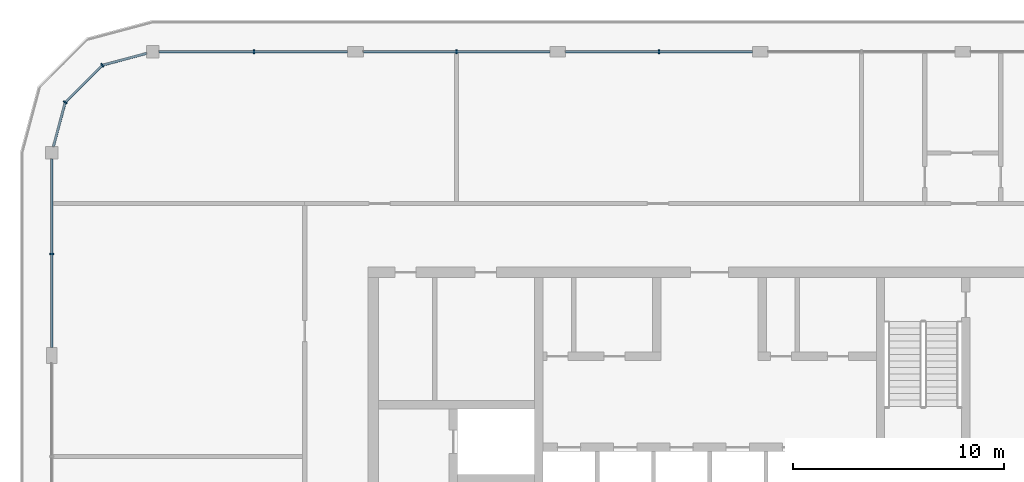
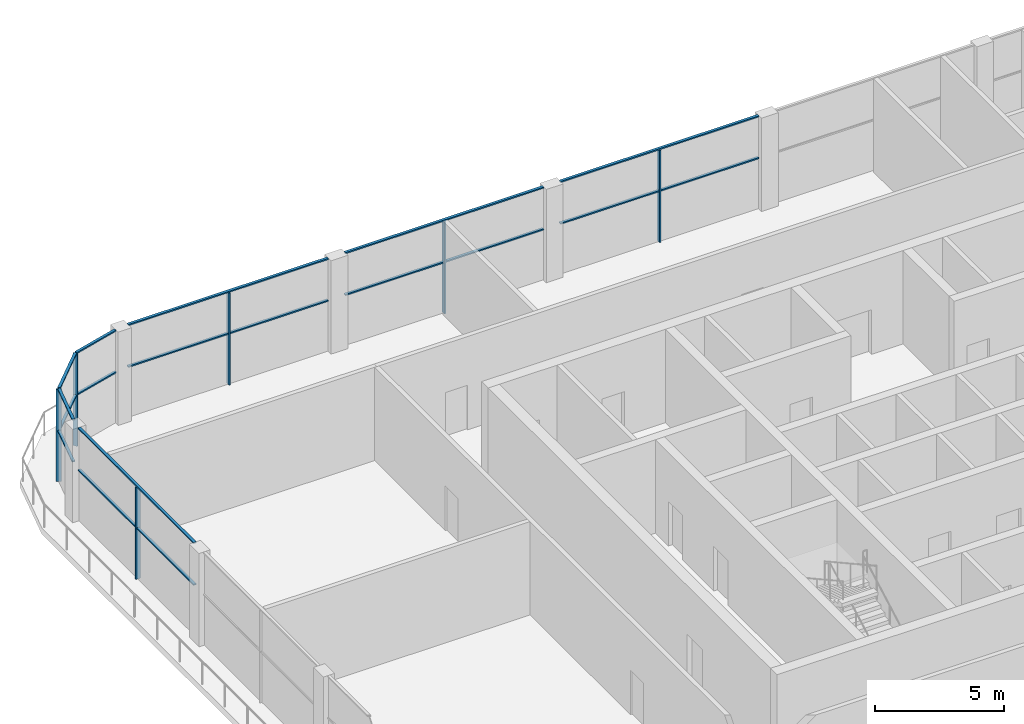
# One storey, part 5 of 15: 24 members, 5 elements without a shape of their own.
"""IFC4 building model written with IfcOpenShell, lengths in metres."""

from ifc_helpers import new_model, si_unit, direction, frame, origin, origin_2d, place, context, subcontext, project, spatial, rectangle, extrude, material, layer, layer_set, material_profile, profile_set, type_object, element, aggregate, save


model = new_model("IFC4")

# Units and contexts
model_context = context("Model", 3, precision=1e-05, world=origin(), true_north=direction((0.0, 1.0)))
body_context = subcontext(model_context, "Body", "Model", "MODEL_VIEW")
ifc_project = project(units=[si_unit("LENGTHUNIT", "METRE"), si_unit("AREAUNIT", "SQUARE_METRE"), si_unit("VOLUMEUNIT", "CUBIC_METRE"), si_unit("PLANEANGLEUNIT", "RADIAN"), si_unit("MASSUNIT", "GRAM", prefix="KILO")], contexts=[model_context])

# Site, building, storey
site_placement = place(None, origin())
site = spatial("IfcSite", under=ifc_project, at=site_placement, CompositionType="ELEMENT")
building_placement = place(site_placement, origin())
building = spatial("IfcBuilding", under=site, at=building_placement, Name="Madar Terraces", CompositionType="ELEMENT")
storey_placement = place(building_placement, frame((0.0, 0.0, 291.5)))
storey = spatial("IfcBuildingStorey", under=building, at=storey_placement, Name="L76", CompositionType="ELEMENT", Elevation=291.5)

# Curtain wall, member
ifc_material_1 = material(Name="Glass, clear low-iron, with black aluminium frame", Category="aluminium")
ifc_layer = layer(ifc_material_1, 0.199951171875)
ifc_layer_set = layer_set([ifc_layer], Name="Facade curtain wall, observation glazing")
curtain_wall_type = type_object("IfcCurtainWallType", Name="Facade curtain wall, observation glazing", PredefinedType="NOTDEFINED", material=ifc_layer_set)
curtain_wall_1_placement = place(storey_placement, origin())
curtain_wall_1 = element("IfcCurtainWall", 1, at=curtain_wall_1_placement, inside=storey, type_object=curtain_wall_type, Name="Outer skin curtain wall north bay 3", PredefinedType="NOTDEFINED")
ifc_material_2 = material(Name="Aluminium, black anodised", Category="aluminium")
ifc_material_profile_1 = material_profile(ifc_material_2, rectangle(XDim=0.199951171875, YDim=0.06005859375, at=origin_2d()), Name="Facade mullion 60x200")
ifc_profile_set_1 = profile_set([ifc_material_profile_1], Name="Aluminium, black anodised")
member_type_1 = type_object("IfcMemberType", Name="Facade mullion 60x200", PredefinedType="MULLION", material=ifc_profile_set_1)
member_1_placement = place(storey_placement, frame((28.800048828125, 48.0, 0.0), z_axis=(0.0, 0.0, 1.0), x_axis=(0.0, -1.0, 0.0)))
member_1 = element("IfcMember", 2, at=member_1_placement, type_object=member_type_1, Name="Mullion 1", PredefinedType="MULLION", context=body_context, shape_type="SweptSolid", body=[
    extrude(rectangle(XDim=0.199951171875, YDim=0.06005859375, at=origin_2d()), origin(), (0.0, 0.0, 1.0), 4.340087890625),
])

curtain_wall_2_placement = place(storey_placement, origin())
curtain_wall_2 = element("IfcCurtainWall", 3, at=curtain_wall_2_placement, inside=storey, type_object=curtain_wall_type, Name="Outer skin curtain wall north bay 4", PredefinedType="NOTDEFINED")
member_2_placement = place(storey_placement, frame((19.199951171875, 48.0, 0.0), z_axis=(0.0, 0.0, 1.0), x_axis=(0.0, -1.0, 0.0)))
member_2 = element("IfcMember", 4, at=member_2_placement, type_object=member_type_1, Name="Mullion 1", PredefinedType="MULLION", context=body_context, shape_type="SweptSolid", body=[
    extrude(rectangle(XDim=0.199951171875, YDim=0.06005859375, at=origin_2d()), origin(), (0.0, 0.0, 1.0), 4.340087890625),
])

curtain_wall_3_placement = place(storey_placement, origin())
curtain_wall_3 = element("IfcCurtainWall", 5, at=curtain_wall_3_placement, inside=storey, type_object=curtain_wall_type, Name="Outer skin curtain wall north bay 5", PredefinedType="NOTDEFINED")
member_3_placement = place(storey_placement, frame((9.60009765625, 48.0, 0.0), z_axis=(0.0, 0.0, 1.0), x_axis=(0.0, -1.0, 0.0)))
member_3 = element("IfcMember", 6, at=member_3_placement, type_object=member_type_1, Name="Mullion 1", PredefinedType="MULLION", context=body_context, shape_type="SweptSolid", body=[
    extrude(rectangle(XDim=0.199951171875, YDim=0.06005859375, at=origin_2d()), origin(), (0.0, 0.0, 1.0), 4.340087890625),
])

curtain_wall_4_placement = place(storey_placement, origin())
curtain_wall_4 = element("IfcCurtainWall", 7, at=curtain_wall_4_placement, inside=storey, type_object=curtain_wall_type, Name="Outer skin curtain wall west bay 1", PredefinedType="NOTDEFINED")
member_4_placement = place(storey_placement, frame((0.0, 38.39990234375, 0.0), z_axis=(0.0, 0.0, 1.0), x_axis=(1.0, 0.0, 0.0)))
member_4 = element("IfcMember", 8, at=member_4_placement, type_object=member_type_1, Name="Mullion 1", PredefinedType="MULLION", context=body_context, shape_type="SweptSolid", body=[
    extrude(rectangle(XDim=0.199951171875, YDim=0.06005859375, at=origin_2d()), origin(), (0.0, 0.0, 1.0), 4.340087890625),
])

# Curtain wall, members
curtain_wall_5_placement = place(storey_placement, origin())
curtain_wall_5 = element("IfcCurtainWall", 9, at=curtain_wall_5_placement, inside=storey, type_object=curtain_wall_type, Name="Outer skin curtain wall north-west corner", PredefinedType="NOTDEFINED")
member_5_placement = place(storey_placement, frame((2.39990234375, 47.35693359375, 0.0), z_axis=(0.0, 0.0, 1.0), x_axis=(0.499999989586, -0.866025409797, 0.0)))
member_5 = element("IfcMember", 10, at=member_5_placement, type_object=member_type_1, Name="Mullion 1", PredefinedType="MULLION", context=body_context, shape_type="SweptSolid", body=[
    extrude(rectangle(XDim=0.199951171875, YDim=0.06005859375, at=origin_2d()), origin(), (0.0, 0.0, 1.0), 4.340087890625),
])
member_6_placement = place(storey_placement, frame((0.64306640625, 45.60009765625, 0.0), z_axis=(0.0, 0.0, 1.0), x_axis=(0.866025409797, -0.499999989586, 0.0)))
member_6 = element("IfcMember", 11, at=member_6_placement, type_object=member_type_1, Name="Mullion 2", PredefinedType="MULLION", context=body_context, shape_type="SweptSolid", body=[
    extrude(rectangle(XDim=0.199951171875, YDim=0.06005859375, at=origin_2d()), origin(), (0.0, 0.0, 1.0), 4.340087890625),
])

# Member
ifc_material_3 = material(Name="Aluminium, black anodised", Category="aluminium")
ifc_material_profile_2 = material_profile(ifc_material_3, rectangle(XDim=0.1201171875, YDim=0.06005859375, at=origin_2d()), Name="Facade transom 60x120")
ifc_profile_set_2 = profile_set([ifc_material_profile_2], Name="Aluminium, black anodised")
member_type_2 = type_object("IfcMemberType", Name="Facade transom 60x120", PredefinedType="USERDEFINED", material=ifc_profile_set_2)
member_7_placement = place(storey_placement, frame((33.22509765625, 48.0, 4.3701171875), z_axis=(-1.0, 0.0, 0.0), x_axis=(0.0, -1.0, 0.0)))
member_7 = element("IfcMember", 12, at=member_7_placement, type_object=member_type_2, Name="Transom 1", ObjectType="TRANSOM", PredefinedType="USERDEFINED", context=body_context, shape_type="SweptSolid", body=[
    extrude(rectangle(XDim=0.1201171875, YDim=0.06005859375, at=origin_2d()), origin(), (0.0, 0.0, 1.0), 8.85009765625),
])

member_8_placement = place(storey_placement, frame((33.22509765625, 48.0, 2.39990234375), z_axis=(-1.0, 0.0, 0.0), x_axis=(0.0, -1.0, 0.0)))
member_8 = element("IfcMember", 13, at=member_8_placement, type_object=member_type_2, Name="Transom 2", ObjectType="TRANSOM", PredefinedType="USERDEFINED", context=body_context, shape_type="SweptSolid", body=[
    extrude(rectangle(XDim=0.1201171875, YDim=0.06005859375, at=origin_2d()), origin(), (0.0, 0.0, 1.0), 4.39501953125),
])

member_9_placement = place(storey_placement, frame((28.77001953125, 48.0, 2.39990234375), z_axis=(-1.0, 0.0, 0.0), x_axis=(0.0, -1.0, 0.0)))
member_9 = element("IfcMember", 14, at=member_9_placement, type_object=member_type_2, Name="Transom 3", ObjectType="TRANSOM", PredefinedType="USERDEFINED", context=body_context, shape_type="SweptSolid", body=[
    extrude(rectangle(XDim=0.1201171875, YDim=0.06005859375, at=origin_2d()), origin(), (0.0, 0.0, 1.0), 4.39501953125),
])

aggregate(curtain_wall_1, [member_1, member_7, member_8, member_9])

member_10_placement = place(storey_placement, frame((23.625, 48.0, 4.3701171875), z_axis=(-1.0, 0.0, 0.0), x_axis=(0.0, -1.0, 0.0)))
member_10 = element("IfcMember", 15, at=member_10_placement, type_object=member_type_2, Name="Transom 1", ObjectType="TRANSOM", PredefinedType="USERDEFINED", context=body_context, shape_type="SweptSolid", body=[
    extrude(rectangle(XDim=0.1201171875, YDim=0.06005859375, at=origin_2d()), origin(), (0.0, 0.0, 1.0), 8.85009765625),
])

member_11_placement = place(storey_placement, frame((23.625, 48.0, 2.39990234375), z_axis=(-1.0, 0.0, 0.0), x_axis=(0.0, -1.0, 0.0)))
member_11 = element("IfcMember", 16, at=member_11_placement, type_object=member_type_2, Name="Transom 2", ObjectType="TRANSOM", PredefinedType="USERDEFINED", context=body_context, shape_type="SweptSolid", body=[
    extrude(rectangle(XDim=0.1201171875, YDim=0.06005859375, at=origin_2d()), origin(), (0.0, 0.0, 1.0), 4.39501953125),
])

member_12_placement = place(storey_placement, frame((19.169921875, 48.0, 2.39990234375), z_axis=(-1.0, 0.0, 0.0), x_axis=(0.0, -1.0, 0.0)))
member_12 = element("IfcMember", 17, at=member_12_placement, type_object=member_type_2, Name="Transom 3", ObjectType="TRANSOM", PredefinedType="USERDEFINED", context=body_context, shape_type="SweptSolid", body=[
    extrude(rectangle(XDim=0.1201171875, YDim=0.06005859375, at=origin_2d()), origin(), (0.0, 0.0, 1.0), 4.39501953125),
])

aggregate(curtain_wall_2, [member_2, member_10, member_11, member_12])

member_13_placement = place(storey_placement, frame((14.02490234375, 48.0, 4.3701171875), z_axis=(-1.0, 0.0, 0.0), x_axis=(0.0, -1.0, 0.0)))
member_13 = element("IfcMember", 18, at=member_13_placement, type_object=member_type_2, Name="Transom 1", ObjectType="TRANSOM", PredefinedType="USERDEFINED", context=body_context, shape_type="SweptSolid", body=[
    extrude(rectangle(XDim=0.1201171875, YDim=0.06005859375, at=origin_2d()), origin(), (0.0, 0.0, 1.0), 8.9248046875),
])

member_14_placement = place(storey_placement, frame((14.02490234375, 48.0, 2.39990234375), z_axis=(-1.0, 0.0, 0.0), x_axis=(0.0, -1.0, 0.0)))
member_14 = element("IfcMember", 19, at=member_14_placement, type_object=member_type_2, Name="Transom 2", ObjectType="TRANSOM", PredefinedType="USERDEFINED", context=body_context, shape_type="SweptSolid", body=[
    extrude(rectangle(XDim=0.1201171875, YDim=0.06005859375, at=origin_2d()), origin(), (0.0, 0.0, 1.0), 4.39501953125),
])

member_15_placement = place(storey_placement, frame((9.570068359375, 48.0, 2.39990234375), z_axis=(-1.0, 0.0, 0.0), x_axis=(0.0, -1.0, 0.0)))
member_15 = element("IfcMember", 20, at=member_15_placement, type_object=member_type_2, Name="Transom 3", ObjectType="TRANSOM", PredefinedType="USERDEFINED", context=body_context, shape_type="SweptSolid", body=[
    extrude(rectangle(XDim=0.1201171875, YDim=0.06005859375, at=origin_2d()), origin(), (0.0, 0.0, 1.0), 4.469970703125),
])

aggregate(curtain_wall_3, [member_3, member_13, member_14, member_15])

member_16_placement = place(storey_placement, frame((0.0, 42.89990234375, 4.3701171875), z_axis=(0.0, -1.0, 0.0), x_axis=(1.0, 0.0, 0.0)))
member_16 = element("IfcMember", 21, at=member_16_placement, type_object=member_type_2, Name="Transom 1", ObjectType="TRANSOM", PredefinedType="USERDEFINED", context=body_context, shape_type="SweptSolid", body=[
    extrude(rectangle(XDim=0.1201171875, YDim=0.06005859375, at=origin_2d()), origin(), (0.0, 0.0, 1.0), 8.9248046875),
])

member_17_placement = place(storey_placement, frame((0.0, 42.89990234375, 2.39990234375), z_axis=(0.0, -1.0, 0.0), x_axis=(1.0, 0.0, 0.0)))
member_17 = element("IfcMember", 22, at=member_17_placement, type_object=member_type_2, Name="Transom 2", ObjectType="TRANSOM", PredefinedType="USERDEFINED", context=body_context, shape_type="SweptSolid", body=[
    extrude(rectangle(XDim=0.1201171875, YDim=0.06005859375, at=origin_2d()), origin(), (0.0, 0.0, 1.0), 4.469970703125),
])

member_18_placement = place(storey_placement, frame((0.0, 38.3701171875, 2.39990234375), z_axis=(0.0, -1.0, 0.0), x_axis=(1.0, 0.0, 0.0)))
member_18 = element("IfcMember", 23, at=member_18_placement, type_object=member_type_2, Name="Transom 3", ObjectType="TRANSOM", PredefinedType="USERDEFINED", context=body_context, shape_type="SweptSolid", body=[
    extrude(rectangle(XDim=0.1201171875, YDim=0.06005859375, at=origin_2d()), origin(), (0.0, 0.0, 1.0), 4.39501953125),
])

aggregate(curtain_wall_4, [member_4, member_16, member_17, member_18])

member_19_placement = place(storey_placement, frame((4.5, 47.919677734375, 4.3701171875), z_axis=(-0.965926196336, -0.258817664066, 0.0), x_axis=(0.258817664066, -0.965926196336, 0.0)))
member_19 = element("IfcMember", 24, at=member_19_placement, type_object=member_type_2, Name="Transom 1", ObjectType="TRANSOM", PredefinedType="USERDEFINED", context=body_context, shape_type="SweptSolid", body=[
    extrude(rectangle(XDim=0.1201171875, YDim=0.06005859375, at=origin_2d()), origin(), (0.0, 0.0, 1.0), 2.14404296875),
])

member_20_placement = place(storey_placement, frame((4.5, 47.919677734375, 2.39990234375), z_axis=(-0.965926196336, -0.258817664066, 0.0), x_axis=(0.258817664066, -0.965926196336, 0.0)))
member_20 = element("IfcMember", 25, at=member_20_placement, type_object=member_type_2, Name="Transom 2", ObjectType="TRANSOM", PredefinedType="USERDEFINED", context=body_context, shape_type="SweptSolid", body=[
    extrude(rectangle(XDim=0.1201171875, YDim=0.06005859375, at=origin_2d()), origin(), (0.0, 0.0, 1.0), 2.14404296875),
])

member_21_placement = place(storey_placement, frame((2.37890625, 47.335693359375, 4.3701171875), z_axis=(-0.707106781187, -0.707106781187, 0.0), x_axis=(0.707106781187, -0.707106781187, 0.0)))
member_21 = element("IfcMember", 26, at=member_21_placement, type_object=member_type_2, Name="Transom 3", ObjectType="TRANSOM", PredefinedType="USERDEFINED", context=body_context, shape_type="SweptSolid", body=[
    extrude(rectangle(XDim=0.1201171875, YDim=0.06005859375, at=origin_2d()), origin(), (0.0, 0.0, 1.0), 2.4248046875),
])

member_22_placement = place(storey_placement, frame((2.37890625, 47.335693359375, 2.39990234375), z_axis=(-0.707106781187, -0.707106781187, 0.0), x_axis=(0.707106781187, -0.707106781187, 0.0)))
member_22 = element("IfcMember", 27, at=member_22_placement, type_object=member_type_2, Name="Transom 4", ObjectType="TRANSOM", PredefinedType="USERDEFINED", context=body_context, shape_type="SweptSolid", body=[
    extrude(rectangle(XDim=0.1201171875, YDim=0.06005859375, at=origin_2d()), origin(), (0.0, 0.0, 1.0), 2.4248046875),
])

member_23_placement = place(storey_placement, frame((0.63525390625, 45.571044921875, 4.3701171875), z_axis=(-0.258817664066, -0.965926196336, 0.0), x_axis=(0.965926196336, -0.258817664066, 0.0)))
member_23 = element("IfcMember", 28, at=member_23_placement, type_object=member_type_2, Name="Transom 5", ObjectType="TRANSOM", PredefinedType="USERDEFINED", context=body_context, shape_type="SweptSolid", body=[
    extrude(rectangle(XDim=0.1201171875, YDim=0.06005859375, at=origin_2d()), origin(), (0.0, 0.0, 1.0), 2.14404296875),
])

member_24_placement = place(storey_placement, frame((0.63525390625, 45.571044921875, 2.39990234375), z_axis=(-0.258817664066, -0.965926196336, 0.0), x_axis=(0.965926196336, -0.258817664066, 0.0)))
member_24 = element("IfcMember", 29, at=member_24_placement, type_object=member_type_2, Name="Transom 6", ObjectType="TRANSOM", PredefinedType="USERDEFINED", context=body_context, shape_type="SweptSolid", body=[
    extrude(rectangle(XDim=0.1201171875, YDim=0.06005859375, at=origin_2d()), origin(), (0.0, 0.0, 1.0), 2.14404296875),
])

aggregate(curtain_wall_5, [member_5, member_19, member_20, member_6, member_21, member_22, member_23, member_24])

save(model, "model.ifc")
